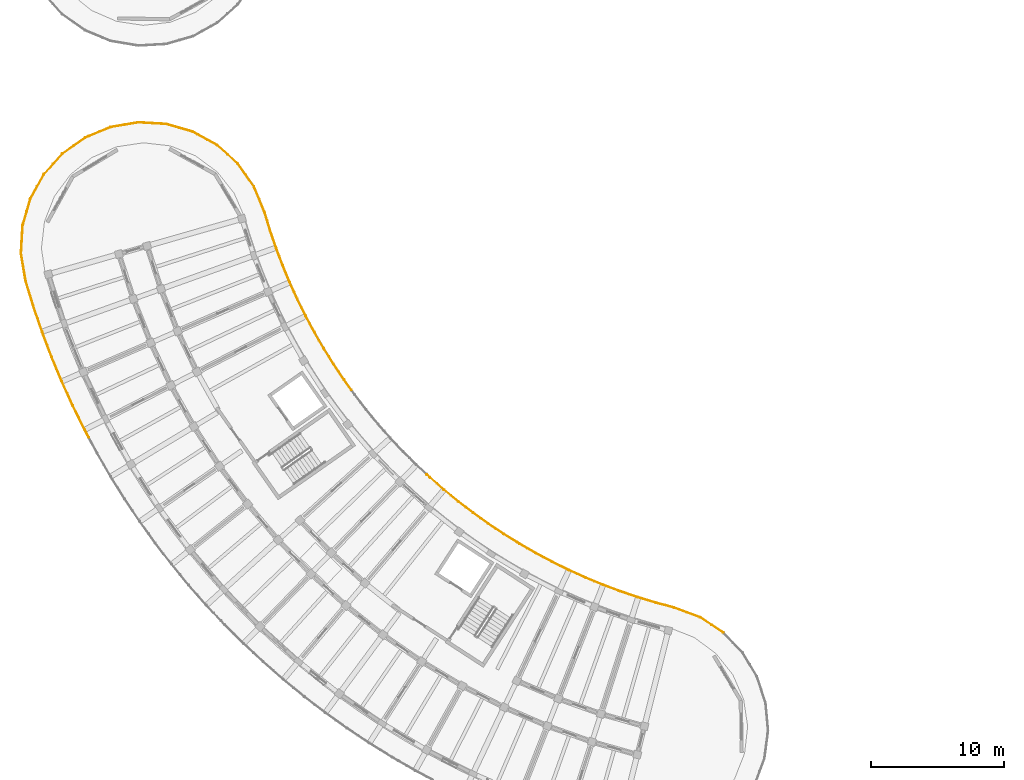
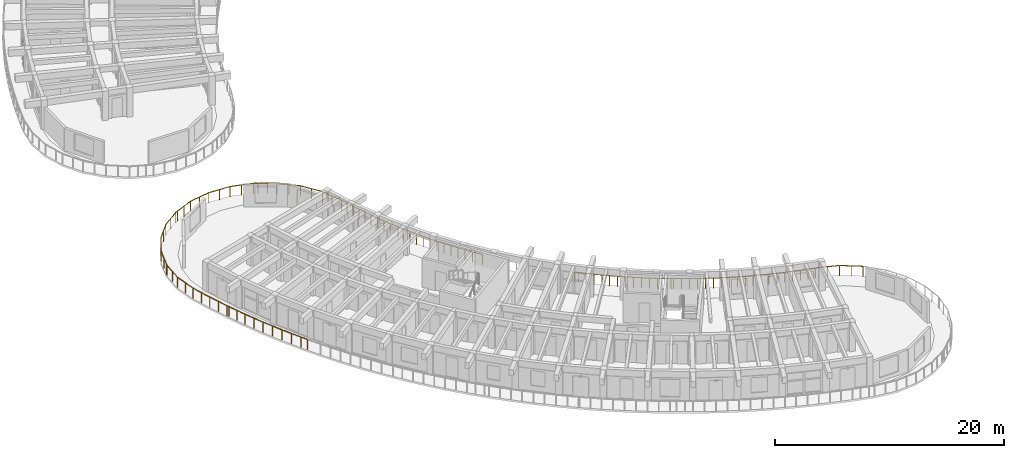
# One storey, part 68 of 81: 10 railings.
"""IFC4 building model written with IfcOpenShell, lengths in metres."""

from ifc_helpers import new_model, si_unit, direction, frame, origin, origin_2d, place, context, subcontext, project, spatial, circle, extrude, material, type_object, element, save


model = new_model("IFC4")

# Units and contexts
model_context = context("Model", 3, precision=1e-05, world=origin(), true_north=direction((0.0, 1.0)))
body_context = subcontext(model_context, "Body", "Model", "MODEL_VIEW")
ifc_project = project(units=[si_unit("LENGTHUNIT", "METRE"), si_unit("AREAUNIT", "SQUARE_METRE"), si_unit("VOLUMEUNIT", "CUBIC_METRE"), si_unit("PLANEANGLEUNIT", "RADIAN"), si_unit("MASSUNIT", "GRAM", prefix="KILO")], contexts=[model_context])

# Site, building, storey
site_placement = place(None, origin())
site = spatial("IfcSite", under=ifc_project, at=site_placement, CompositionType="ELEMENT")
building_placement = place(site_placement, origin())
building = spatial("IfcBuilding", under=site, at=building_placement, Name="Tanwirah Colonnade Gardens", CompositionType="ELEMENT")
storey_placement = place(building_placement, frame((0.0, 0.0, 18.919921875)))
storey = spatial("IfcBuildingStorey", under=building, at=storey_placement, Name="L05", CompositionType="ELEMENT", Elevation=18.919921875)

# Railings
ifc_material = material(Name="Precast concrete C40/50", Category="concrete")
railing_type = type_object("IfcRailingType", Name="BAL-EXT110", PredefinedType="BALUSTRADE", material=ifc_material)
railing_1_placement = place(storey_placement, frame((23.1767578125, 54.664794921875, 0.0)))
element("IfcRailing", 1, at=railing_1_placement, inside=storey, type_object=railing_type, Name="Block C L05 Balcony Ribbon Balustrade 1", PredefinedType="BALUSTRADE", context=body_context, shape_type="SweptSolid", body=[
    extrude(circle(Radius=0.02392578125, at=origin_2d()), frame((0.011962890625, -0.02880859375, 1.076171875), z_axis=(0.381489237895, -0.92437328032, 0.0), x_axis=(0.92437328032, 0.381489237895, 0.0)), (0.0, 0.0, 1.0), 2.029541015625),
    extrude(circle(Radius=0.02392578125, at=origin_2d()), frame((0.80712890625, -1.963623046875, 1.076171875), z_axis=(0.291308344694, -0.956629211509, 0.0), x_axis=(0.956629211509, 0.291308344694, 0.0)), (0.0, 0.0, 1.0), 1.327880859375),
    extrude(circle(Radius=0.02392578125, at=origin_2d()), frame((1.2138671875, -3.2958984375, 1.076171875), z_axis=(0.322420738552, -0.946596464895, 0.0), x_axis=(0.946596464895, 0.322420738552, 0.0)), (0.0, 0.0, 1.0), 1.33154296875),
    extrude(circle(Radius=0.02392578125, at=origin_2d()), frame((1.665283203125, -4.61767578125, 1.076171875), z_axis=(0.353291566317, -0.935513265095, 0.0), x_axis=(0.935513265095, 0.353291566317, 0.0)), (0.0, 0.0, 1.0), 1.331298828125),
    extrude(circle(Radius=0.02392578125, at=origin_2d()), frame((2.15966796875, -5.923583984375, 1.076171875), z_axis=(0.383707429873, -0.923454713703, 0.0), x_axis=(0.923454713703, 0.383707429873, 0.0)), (0.0, 0.0, 1.0), 1.33154296875),
    extrude(circle(Radius=0.02392578125, at=origin_2d()), frame((2.696533203125, -7.213134765625, 1.076171875), z_axis=(0.413892102149, -0.9103259459, 0.0), x_axis=(0.9103259459, 0.413892102149, 0.0)), (0.0, 0.0, 1.0), 0.7626953125),
    extrude(circle(Radius=0.02099609375, at=origin_2d()), origin(), (0.0, 0.0, 1.0), 1.049072265625),
    extrude(circle(Radius=0.02099609375, at=origin_2d()), frame((0.39892578125, -0.966796875, 0.0)), (0.0, 0.0, 1.0), 1.049072265625),
    extrude(circle(Radius=0.02099609375, at=origin_2d()), frame((0.798095703125, -1.933837890625, 0.0)), (0.0, 0.0, 1.0), 1.049072265625),
    extrude(circle(Radius=0.02099609375, at=origin_2d()), frame((1.00048828125, -2.598876953125, 0.0)), (0.0, 0.0, 1.0), 1.049072265625),
    extrude(circle(Radius=0.02099609375, at=origin_2d()), frame((1.203125, -3.263916015625, 0.0)), (0.0, 0.0, 1.0), 1.049072265625),
    extrude(circle(Radius=0.02099609375, at=origin_2d()), frame((1.4287109375, -3.92626953125, 0.0)), (0.0, 0.0, 1.0), 1.049072265625),
    extrude(circle(Radius=0.02099609375, at=origin_2d()), frame((1.6533203125, -4.5859375, 0.0)), (0.0, 0.0, 1.0), 1.049072265625),
    extrude(circle(Radius=0.02099609375, at=origin_2d()), frame((1.900390625, -5.240234375, 0.0)), (0.0, 0.0, 1.0), 1.049072265625),
    extrude(circle(Radius=0.02099609375, at=origin_2d()), frame((2.146728515625, -5.892333984375, 0.0)), (0.0, 0.0, 1.0), 1.049072265625),
    extrude(circle(Radius=0.02099609375, at=origin_2d()), frame((2.4150390625, -6.53857421875, 0.0)), (0.0, 0.0, 1.0), 1.049072265625),
    extrude(circle(Radius=0.02099609375, at=origin_2d()), frame((2.6826171875, -7.18212890625, 0.0)), (0.0, 0.0, 1.0), 1.049072265625),
    extrude(circle(Radius=0.02099609375, at=origin_2d()), frame((3.025146484375, -7.935791015625, 0.0)), (0.0, 0.0, 1.0), 1.049072265625),
])
railing_2_placement = place(storey_placement, frame((26.201904296875, 46.72900390625, 0.0)))
element("IfcRailing", 2, at=railing_2_placement, inside=storey, type_object=railing_type, Name="Block C L05 Balcony Ribbon Balustrade 2", PredefinedType="BALUSTRADE", context=body_context, shape_type="SweptSolid", body=[
    extrude(circle(Radius=0.02392578125, at=origin_2d()), frame((0.012939453125, -0.028564453125, 1.076171875), z_axis=(0.413414773503, -0.910542818899, 0.0), x_axis=(0.910542818899, 0.413414773503, 0.0)), (0.0, 0.0, 1.0), 0.506103515625),
    extrude(circle(Radius=0.02392578125, at=origin_2d()), frame((0.250244140625, -0.54833984375, 1.076171875), z_axis=(0.443286097627, -0.896380184771, 0.0), x_axis=(0.896380184771, 0.443286097627, 0.0)), (0.0, 0.0, 1.0), 1.33154296875),
    extrude(circle(Radius=0.02392578125, at=origin_2d()), frame((0.8701171875, -1.7998046875, 1.076171875), z_axis=(0.472323466806, -0.881425290484, 0.0), x_axis=(0.881425290484, 0.472323466806, 0.0)), (0.0, 0.0, 1.0), 1.33154296875),
    extrude(circle(Radius=0.02392578125, at=origin_2d()), frame((1.53076171875, -3.0302734375, 1.076171875), z_axis=(0.501015561301, -0.865438274711, 0.0), x_axis=(0.865438274711, 0.501015561301, 0.0)), (0.0, 0.0, 1.0), 1.33154296875),
    extrude(circle(Radius=0.02392578125, at=origin_2d()), frame((2.2314453125, -4.238525390625, 1.076171875), z_axis=(0.529022666758, -0.848607693847, 0.0), x_axis=(0.848607693847, 0.529022666758, 0.0)), (0.0, 0.0, 1.0), 1.33154296875),
    extrude(circle(Radius=0.02392578125, at=origin_2d()), frame((2.970947265625, -5.423095703125, 1.076171875), z_axis=(0.55655786635, -0.830808847692, 0.0), x_axis=(0.830808847692, 0.55655786635, 0.0)), (0.0, 0.0, 1.0), 1.33154296875),
    extrude(circle(Radius=0.02392578125, at=origin_2d()), frame((3.749267578125, -6.5830078125, 1.076171875), z_axis=(0.583385919087, -0.812195093196, 0.0), x_axis=(0.812195093196, 0.583385919087, 0.0)), (0.0, 0.0, 1.0), 0.8828125),
    extrude(circle(Radius=0.02099609375, at=origin_2d()), origin(), (0.0, 0.0, 1.0), 1.049072265625),
    extrude(circle(Radius=0.02099609375, at=origin_2d()), frame((0.235107421875, -0.517822265625, 0.0)), (0.0, 0.0, 1.0), 1.049072265625),
    extrude(circle(Radius=0.02099609375, at=origin_2d()), frame((0.54541015625, -1.14501953125, 0.0)), (0.0, 0.0, 1.0), 1.049072265625),
    extrude(circle(Radius=0.02099609375, at=origin_2d()), frame((0.854248046875, -1.769775390625, 0.0)), (0.0, 0.0, 1.0), 1.049072265625),
    extrude(circle(Radius=0.02099609375, at=origin_2d()), frame((1.1845703125, -2.38671875, 0.0)), (0.0, 0.0, 1.0), 1.049072265625),
    extrude(circle(Radius=0.02099609375, at=origin_2d()), frame((1.513916015625, -3.0009765625, 0.0)), (0.0, 0.0, 1.0), 1.049072265625),
    extrude(circle(Radius=0.02099609375, at=origin_2d()), frame((1.8642578125, -3.6064453125, 0.0)), (0.0, 0.0, 1.0), 1.049072265625),
    extrude(circle(Radius=0.02099609375, at=origin_2d()), frame((2.213623046875, -4.209716796875, 0.0)), (0.0, 0.0, 1.0), 1.049072265625),
    extrude(circle(Radius=0.02099609375, at=origin_2d()), frame((2.58349609375, -4.803466796875, 0.0)), (0.0, 0.0, 1.0), 1.049072265625),
    extrude(circle(Radius=0.02099609375, at=origin_2d()), frame((2.952392578125, -5.39501953125, 0.0)), (0.0, 0.0, 1.0), 1.049072265625),
    extrude(circle(Radius=0.02099609375, at=origin_2d()), frame((3.341552734375, -5.976318359375, 0.0)), (0.0, 0.0, 1.0), 1.049072265625),
    extrude(circle(Radius=0.02099609375, at=origin_2d()), frame((3.7294921875, -6.555419921875, 0.0)), (0.0, 0.0, 1.0), 1.049072265625),
    extrude(circle(Radius=0.02099609375, at=origin_2d()), frame((4.282470703125, -7.325439453125, 0.0)), (0.0, 0.0, 1.0), 1.049072265625),
])
railing_3_placement = place(storey_placement, frame((36.13134765625, 33.070068359375, 0.0)))
element("IfcRailing", 3, at=railing_3_placement, inside=storey, type_object=railing_type, Name="Block C L05 Balcony Ribbon Balustrade 4", PredefinedType="BALUSTRADE", context=body_context, shape_type="SweptSolid", body=[
    extrude(circle(Radius=0.02392578125, at=origin_2d()), frame((0.02294921875, -0.021240234375, 1.076171875), z_axis=(0.730857442629, -0.682530144795, 0.0), x_axis=(0.682530144795, 0.730857442629, 0.0)), (0.0, 0.0, 1.0), 0.265869140625),
    extrude(circle(Radius=0.02392578125, at=origin_2d()), frame((0.265380859375, -0.24658203125, 1.076171875), z_axis=(0.752565845379, -0.658517006894, 0.0), x_axis=(0.658517006894, 0.752565845379, 0.0)), (0.0, 0.0, 1.0), 1.33154296875),
    extrude(circle(Radius=0.02392578125, at=origin_2d()), frame((1.317138671875, -1.16552734375, 1.076171875), z_axis=(0.773762182392, -0.633476191424, 0.0), x_axis=(0.633476191424, 0.773762182392, 0.0)), (0.0, 0.0, 1.0), 1.33154296875),
    extrude(circle(Radius=0.02392578125, at=origin_2d()), frame((2.398681640625, -2.049560546875, 1.076171875), z_axis=(0.793969886309, -0.607957087001, 0.0), x_axis=(0.607957087001, 0.793969886309, 0.0)), (0.0, 0.0, 1.0), 1.331298828125),
    extrude(circle(Radius=0.02392578125, at=origin_2d()), frame((3.508056640625, -2.8974609375, 1.076171875), z_axis=(0.813473063063, -0.581602592558, 0.0), x_axis=(0.581602592558, 0.813473063063, 0.0)), (0.0, 0.0, 1.0), 1.33154296875),
    extrude(circle(Radius=0.02392578125, at=origin_2d()), frame((4.64501953125, -3.708984375, 1.076171875), z_axis=(0.832077237554, -0.554659779274, 0.0), x_axis=(0.554659779274, 0.832077237554, 0.0)), (0.0, 0.0, 1.0), 1.33154296875),
    extrude(circle(Radius=0.02392578125, at=origin_2d()), frame((5.8076171875, -4.482666015625, 1.076171875), z_axis=(0.849786479113, -0.527127062401, 0.0), x_axis=(0.527127062401, 0.849786479113, 0.0)), (0.0, 0.0, 1.0), 1.123046875),
    extrude(circle(Radius=0.02099609375, at=origin_2d()), origin(), (0.0, 0.0, 1.0), 1.049072265625),
    extrude(circle(Radius=0.02099609375, at=origin_2d()), frame((0.239990234375, -0.22412109375, 0.0)), (0.0, 0.0, 1.0), 1.049072265625),
    extrude(circle(Radius=0.02099609375, at=origin_2d()), frame((0.7666015625, -0.68505859375, 0.0)), (0.0, 0.0, 1.0), 1.049072265625),
    extrude(circle(Radius=0.02099609375, at=origin_2d()), frame((1.291015625, -1.14404296875, 0.0)), (0.0, 0.0, 1.0), 1.049072265625),
    extrude(circle(Radius=0.02099609375, at=origin_2d()), frame((1.832275390625, -1.58740234375, 0.0)), (0.0, 0.0, 1.0), 1.049072265625),
    extrude(circle(Radius=0.02099609375, at=origin_2d()), frame((2.37158203125, -2.02880859375, 0.0)), (0.0, 0.0, 1.0), 1.049072265625),
    extrude(circle(Radius=0.02099609375, at=origin_2d()), frame((2.92724609375, -2.4541015625, 0.0)), (0.0, 0.0, 1.0), 1.049072265625),
    extrude(circle(Radius=0.02099609375, at=origin_2d()), frame((3.48046875, -2.8779296875, 0.0)), (0.0, 0.0, 1.0), 1.049072265625),
    extrude(circle(Radius=0.02099609375, at=origin_2d()), frame((4.0498046875, -3.28466796875, 0.0)), (0.0, 0.0, 1.0), 1.049072265625),
    extrude(circle(Radius=0.02099609375, at=origin_2d()), frame((4.61669921875, -3.690185546875, 0.0)), (0.0, 0.0, 1.0), 1.049072265625),
    extrude(circle(Radius=0.02099609375, at=origin_2d()), frame((5.19873046875, -4.078125, 0.0)), (0.0, 0.0, 1.0), 1.049072265625),
    extrude(circle(Radius=0.02099609375, at=origin_2d()), frame((5.77880859375, -4.46484375, 0.0)), (0.0, 0.0, 1.0), 1.049072265625),
    extrude(circle(Radius=0.02099609375, at=origin_2d()), frame((6.78857421875, -5.09130859375, 0.0)), (0.0, 0.0, 1.0), 1.049072265625),
])
railing_4_placement = place(storey_placement, frame((42.919921875, 27.978759765625, 0.0)))
element("IfcRailing", 4, at=railing_4_placement, inside=storey, type_object=railing_type, Name="Block C L05 Balcony Ribbon Balustrade 5", PredefinedType="BALUSTRADE", context=body_context, shape_type="SweptSolid", body=[
    extrude(circle(Radius=0.02392578125, at=origin_2d()), frame((0.026611328125, -0.0166015625, 1.076171875), z_axis=(0.849640166198, -0.527362861778, 0.0), x_axis=(0.527362861778, 0.849640166198, 0.0)), (0.0, 0.0, 1.0), 0.145751953125),
    extrude(circle(Radius=0.02392578125, at=origin_2d()), frame((0.206298828125, -0.126708984375, 1.076171875), z_axis=(0.866535241782, -0.499115893104, 0.0), x_axis=(0.499115893104, 0.866535241782, 0.0)), (0.0, 0.0, 1.0), 1.33154296875),
    extrude(circle(Radius=0.02392578125, at=origin_2d()), frame((1.417236328125, -0.82275390625, 1.076171875), z_axis=(0.88242081136, -0.470460956593, 0.0), x_axis=(0.470460956593, 0.88242081136, 0.0)), (0.0, 0.0, 1.0), 1.331298828125),
    extrude(circle(Radius=0.02392578125, at=origin_2d()), frame((2.650146484375, -1.47900390625, 1.076171875), z_axis=(0.897349966121, -0.441319655469, 0.0), x_axis=(0.441319655469, 0.897349966121, 0.0)), (0.0, 0.0, 1.0), 1.33154296875),
    extrude(circle(Radius=0.02392578125, at=origin_2d()), frame((3.90380859375, -2.094482421875, 1.076171875), z_axis=(0.911383314029, -0.411558568018, 0.0), x_axis=(0.411558568018, 0.911383314029, 0.0)), (0.0, 0.0, 1.0), 1.33154296875),
    extrude(circle(Radius=0.02392578125, at=origin_2d()), frame((5.177001953125, -2.66845703125, 1.076171875), z_axis=(0.924300384608, -0.381665821122, 0.0), x_axis=(0.381665821122, 0.924300384608, 0.0)), (0.0, 0.0, 1.0), 1.331298828125),
    extrude(circle(Radius=0.02392578125, at=origin_2d()), frame((6.46826171875, -3.200439453125, 1.076171875), z_axis=(0.936267698759, -0.351287341447, 0.0), x_axis=(0.351287341447, 0.936267698759, 0.0)), (0.0, 0.0, 1.0), 1.243408203125),
    extrude(circle(Radius=0.02099609375, at=origin_2d()), origin(), (0.0, 0.0, 1.0), 1.049072265625),
    extrude(circle(Radius=0.02099609375, at=origin_2d()), frame((0.177001953125, -0.10986328125, 0.0)), (0.0, 0.0, 1.0), 1.049072265625),
    extrude(circle(Radius=0.02099609375, at=origin_2d()), frame((0.783203125, -0.458984375, 0.0)), (0.0, 0.0, 1.0), 1.049072265625),
    extrude(circle(Radius=0.02099609375, at=origin_2d()), frame((1.38720703125, -0.806884765625, 0.0)), (0.0, 0.0, 1.0), 1.049072265625),
    extrude(circle(Radius=0.02099609375, at=origin_2d()), frame((2.004638671875, -1.135986328125, 0.0)), (0.0, 0.0, 1.0), 1.049072265625),
    extrude(circle(Radius=0.02099609375, at=origin_2d()), frame((2.61962890625, -1.4638671875, 0.0)), (0.0, 0.0, 1.0), 1.049072265625),
    extrude(circle(Radius=0.02099609375, at=origin_2d()), frame((3.24755859375, -1.772705078125, 0.0)), (0.0, 0.0, 1.0), 1.049072265625),
    extrude(circle(Radius=0.02099609375, at=origin_2d()), frame((3.873046875, -2.080322265625, 0.0)), (0.0, 0.0, 1.0), 1.049072265625),
    extrude(circle(Radius=0.02099609375, at=origin_2d()), frame((4.510498046875, -2.368408203125, 0.0)), (0.0, 0.0, 1.0), 1.049072265625),
    extrude(circle(Radius=0.02099609375, at=origin_2d()), frame((5.145751953125, -2.6552734375, 0.0)), (0.0, 0.0, 1.0), 1.049072265625),
    extrude(circle(Radius=0.02099609375, at=origin_2d()), frame((5.79248046875, -2.92236328125, 0.0)), (0.0, 0.0, 1.0), 1.049072265625),
    extrude(circle(Radius=0.02099609375, at=origin_2d()), frame((6.4365234375, -3.1884765625, 0.0)), (0.0, 0.0, 1.0), 1.049072265625),
    extrude(circle(Radius=0.02099609375, at=origin_2d()), frame((7.66162109375, -3.648193359375, 0.0)), (0.0, 0.0, 1.0), 1.049072265625),
])
railing_5_placement = place(storey_placement, frame((50.58154296875, 24.33056640625, 0.0)))
element("IfcRailing", 5, at=railing_5_placement, inside=storey, type_object=railing_type, Name="Block C L05 Balcony Ribbon Balustrade 6", PredefinedType="BALUSTRADE", context=body_context, shape_type="SweptSolid", body=[
    extrude(circle(Radius=0.02392578125, at=origin_2d()), frame((0.029296875, -0.010986328125, 1.076171875), z_axis=(0.937010964775, -0.349299945449, 0.0), x_axis=(0.349299945449, 0.937010964775, 0.0)), (0.0, 0.0, 1.0), 0.025634765625),
    extrude(circle(Radius=0.02392578125, at=origin_2d()), frame((0.114501953125, -0.041748046875, 1.076171875), z_axis=(0.947255234668, -0.320480140404, 0.0), x_axis=(0.320480140404, 0.947255234668, 0.0)), (0.0, 0.0, 1.0), 1.33154296875),
    extrude(circle(Radius=0.02392578125, at=origin_2d()), frame((1.438232421875, -0.48828125, 1.076171875), z_axis=(0.957270084886, -0.289195408993, 0.0), x_axis=(0.289195408993, 0.957270084886, 0.0)), (0.0, 0.0, 1.0), 1.331298828125),
    extrude(circle(Radius=0.02392578125, at=origin_2d()), frame((2.775390625, -0.89111328125, 1.076171875), z_axis=(0.96619995466, -0.257793808332, 0.0), x_axis=(0.257793808332, 0.96619995466, 0.0)), (0.0, 0.0, 1.0), 1.32763671875),
    extrude(circle(Radius=0.02392578125, at=origin_2d()), frame((4.11767578125, -1.25244140625, 1.076171875), z_axis=(0.937103821965, -0.349050751121, 0.0), x_axis=(0.349050751121, 0.937103821965, 0.0)), (0.0, 0.0, 1.0), 2.029541015625),
    extrude(circle(Radius=0.02392578125, at=origin_2d()), frame((6.074951171875, -1.98876953125, 1.076171875), z_axis=(0.835935529347, -0.548827651248, 0.0), x_axis=(0.548827651248, 0.835935529347, 0.0)), (0.0, 0.0, 1.0), 2.024169921875),
    extrude(circle(Radius=0.02099609375, at=origin_2d()), origin(), (0.0, 0.0, 1.0), 1.049072265625),
    extrude(circle(Radius=0.02099609375, at=origin_2d()), frame((0.08251953125, -0.03076171875, 0.0)), (0.0, 0.0, 1.0), 1.049072265625),
    extrude(circle(Radius=0.02099609375, at=origin_2d()), frame((0.7451171875, -0.255126953125, 0.0)), (0.0, 0.0, 1.0), 1.049072265625),
    extrude(circle(Radius=0.02099609375, at=origin_2d()), frame((1.405517578125, -0.478515625, 0.0)), (0.0, 0.0, 1.0), 1.049072265625),
    extrude(circle(Radius=0.02099609375, at=origin_2d()), frame((2.0751953125, -0.6806640625, 0.0)), (0.0, 0.0, 1.0), 1.049072265625),
    extrude(circle(Radius=0.02099609375, at=origin_2d()), frame((2.742431640625, -0.88232421875, 0.0)), (0.0, 0.0, 1.0), 1.049072265625),
    extrude(circle(Radius=0.02099609375, at=origin_2d()), frame((3.416748046875, -1.062255859375, 0.0)), (0.0, 0.0, 1.0), 1.049072265625),
    extrude(circle(Radius=0.02099609375, at=origin_2d()), frame((4.08837890625, -1.241455078125, 0.0)), (0.0, 0.0, 1.0), 1.049072265625),
    extrude(circle(Radius=0.02099609375, at=origin_2d()), frame((5.068603515625, -1.6064453125, 0.0)), (0.0, 0.0, 1.0), 1.049072265625),
    extrude(circle(Radius=0.02099609375, at=origin_2d()), frame((6.048828125, -1.9716796875, 0.0)), (0.0, 0.0, 1.0), 1.049072265625),
    extrude(circle(Radius=0.02099609375, at=origin_2d()), frame((6.9208984375, -2.54443359375, 0.0)), (0.0, 0.0, 1.0), 1.049072265625),
    extrude(circle(Radius=0.02099609375, at=origin_2d()), frame((7.793212890625, -3.116943359375, 0.0)), (0.0, 0.0, 1.0), 1.049072265625),
])
railing_6_placement = place(storey_placement, frame((10.80078125, 35.834716796875, 0.0)))
element("IfcRailing", 6, at=railing_6_placement, inside=storey, type_object=railing_type, Name="Block C L05 Balcony Ribbon Balustrade 16", PredefinedType="BALUSTRADE", context=body_context, shape_type="SweptSolid", body=[
    extrude(circle(Radius=0.02392578125, at=origin_2d()), frame((-0.0146484375, 0.027587890625, 1.076171875), z_axis=(-0.472201112316, 0.881490844835, 0.0), x_axis=(-0.881490844835, -0.472201112316, 0.0)), (0.0, 0.0, 1.0), 0.60498046875),
    extrude(circle(Radius=0.02392578125, at=origin_2d()), frame((-0.3291015625, 0.616455078125, 1.076171875), z_axis=(-0.443316350815, 0.896365223054, 0.0), x_axis=(-0.896365223054, -0.443316350815, 0.0)), (0.0, 0.0, 1.0), 1.9443359375),
    extrude(circle(Radius=0.02392578125, at=origin_2d()), frame((-1.2177734375, 2.415771484375, 1.076171875), z_axis=(-0.413665439989, 0.910428966893, 0.0), x_axis=(-0.910428966893, -0.413665439989, 0.0)), (0.0, 0.0, 1.0), 1.944091796875),
    extrude(circle(Radius=0.02392578125, at=origin_2d()), frame((-2.046875, 4.242919921875, 1.076171875), z_axis=(-0.383777149523, 0.923425741196, 0.0), x_axis=(-0.923425741196, -0.383777149523, 0.0)), (0.0, 0.0, 1.0), 1.94384765625),
    extrude(circle(Radius=0.02392578125, at=origin_2d()), frame((-2.81591796875, 6.09619140625, 1.076171875), z_axis=(-0.353159580161, 0.935563098321, 0.0), x_axis=(-0.935563098321, -0.353159580161, 0.0)), (0.0, 0.0, 1.0), 1.75),
    extrude(circle(Radius=0.02099609375, at=origin_2d()), origin(), (0.0, 0.0, 1.0), 1.049072265625),
    extrude(circle(Radius=0.02099609375, at=origin_2d()), frame((-0.315185546875, 0.58837890625, 0.0)), (0.0, 0.0, 1.0), 1.049072265625),
    extrude(circle(Radius=0.02099609375, at=origin_2d()), frame((-0.760009765625, 1.48779296875, 0.0)), (0.0, 0.0, 1.0), 1.049072265625),
    extrude(circle(Radius=0.02099609375, at=origin_2d()), frame((-1.204833984375, 2.38720703125, 0.0)), (0.0, 0.0, 1.0), 1.049072265625),
    extrude(circle(Radius=0.02099609375, at=origin_2d()), frame((-1.619873046875, 3.30078125, 0.0)), (0.0, 0.0, 1.0), 1.049072265625),
    extrude(circle(Radius=0.02099609375, at=origin_2d()), frame((-2.034912109375, 4.214111328125, 0.0)), (0.0, 0.0, 1.0), 1.049072265625),
    extrude(circle(Radius=0.02099609375, at=origin_2d()), frame((-2.419921875, 5.140625, 0.0)), (0.0, 0.0, 1.0), 1.049072265625),
    extrude(circle(Radius=0.02099609375, at=origin_2d()), frame((-2.804931640625, 6.06689453125, 0.0)), (0.0, 0.0, 1.0), 1.049072265625),
    extrude(circle(Radius=0.02099609375, at=origin_2d()), frame((-3.125, 6.914794921875, 0.0)), (0.0, 0.0, 1.0), 1.049072265625),
    extrude(circle(Radius=0.02099609375, at=origin_2d()), frame((-3.445068359375, 7.7626953125, 0.0)), (0.0, 0.0, 1.0), 1.049072265625),
])
railing_7_placement = place(storey_placement, frame((7.355712890625, 43.597412109375, 0.0)))
element("IfcRailing", 7, at=railing_7_placement, inside=storey, type_object=railing_type, Name="Block C L05 Balcony Ribbon Balustrade 17", PredefinedType="BALUSTRADE", context=body_context, shape_type="SweptSolid", body=[
    extrude(circle(Radius=0.02392578125, at=origin_2d()), frame((-0.010986328125, 0.029296875, 1.076171875), z_axis=(-0.353327210697, 0.935499803411, 0.0), x_axis=(-0.935499803411, -0.353327210697, 0.0)), (0.0, 0.0, 1.0), 0.131591796875),
    extrude(circle(Radius=0.02392578125, at=origin_2d()), frame((-0.07861328125, 0.211181640625, 1.076171875), z_axis=(-0.322426184604, 0.946594609895, 0.0), x_axis=(-0.946594609895, -0.322426184604, 0.0)), (0.0, 0.0, 1.0), 1.944091796875),
    extrude(circle(Radius=0.02392578125, at=origin_2d()), frame((-0.724609375, 2.11083984375, 1.076171875), z_axis=(-0.291360501176, 0.956613327502, 0.0), x_axis=(-0.956613327502, -0.291360501176, 0.0)), (0.0, 0.0, 1.0), 1.940185546875),
    extrude(circle(Radius=0.02392578125, at=origin_2d()), frame((-1.30419921875, 4.027587890625, 1.076171875), z_axis=(-0.166273240714, 0.98607971758, 0.0), x_axis=(-0.98607971758, -0.166273240714, 0.0)), (0.0, 0.0, 1.0), 2.0283203125),
    extrude(circle(Radius=0.02392578125, at=origin_2d()), frame((-1.64501953125, 6.08984375, 1.076171875), z_axis=(0.057322977065, 0.998355686266, 0.0), x_axis=(-0.998355686266, 0.057322977065, 0.0)), (0.0, 0.0, 1.0), 2.0244140625),
    extrude(circle(Radius=0.02392578125, at=origin_2d()), frame((-1.518310546875, 8.172119140625, 1.076171875), z_axis=(0.277708416947, 0.960665412699, 0.0), x_axis=(-0.960665412699, 0.277708416947, 0.0)), (0.0, 0.0, 1.0), 0.05615234375),
    extrude(circle(Radius=0.02099609375, at=origin_2d()), origin(), (0.0, 0.0, 1.0), 1.049072265625),
    extrude(circle(Radius=0.02099609375, at=origin_2d()), frame((-0.068603515625, 0.181640625, 0.0)), (0.0, 0.0, 1.0), 1.049072265625),
    extrude(circle(Radius=0.02099609375, at=origin_2d()), frame((-0.39208984375, 1.13134765625, 0.0)), (0.0, 0.0, 1.0), 1.049072265625),
    extrude(circle(Radius=0.02099609375, at=origin_2d()), frame((-0.715576171875, 2.0810546875, 0.0)), (0.0, 0.0, 1.0), 1.049072265625),
    extrude(circle(Radius=0.02099609375, at=origin_2d()), frame((-1.00732421875, 3.0390625, 0.0)), (0.0, 0.0, 1.0), 1.049072265625),
    extrude(circle(Radius=0.02099609375, at=origin_2d()), frame((-1.299072265625, 3.996826171875, 0.0)), (0.0, 0.0, 1.0), 1.049072265625),
    extrude(circle(Radius=0.02099609375, at=origin_2d()), frame((-1.472900390625, 5.02783203125, 0.0)), (0.0, 0.0, 1.0), 1.049072265625),
    extrude(circle(Radius=0.02099609375, at=origin_2d()), frame((-1.646728515625, 6.05859375, 0.0)), (0.0, 0.0, 1.0), 1.049072265625),
    extrude(circle(Radius=0.02099609375, at=origin_2d()), frame((-1.5869140625, 7.100341796875, 0.0)), (0.0, 0.0, 1.0), 1.049072265625),
    extrude(circle(Radius=0.02099609375, at=origin_2d()), frame((-1.527099609375, 8.14208984375, 0.0)), (0.0, 0.0, 1.0), 1.049072265625),
    extrude(circle(Radius=0.02099609375, at=origin_2d()), frame((-1.494140625, 8.256103515625, 0.0)), (0.0, 0.0, 1.0), 1.049072265625),
])
railing_8_placement = place(storey_placement, frame((5.861572265625, 51.853515625, 0.0)))
element("IfcRailing", 8, at=railing_8_placement, inside=storey, type_object=railing_type, Name="Block C L05 Balcony Ribbon Balustrade 18", PredefinedType="BALUSTRADE", context=body_context, shape_type="SweptSolid", body=[
    extrude(circle(Radius=0.02392578125, at=origin_2d()), frame((0.0087890625, 0.030029296875, 1.076171875), z_axis=(0.278012892346, 0.960577342898, 0.0), x_axis=(-0.960577342898, 0.278012892346, 0.0)), (0.0, 0.0, 1.0), 1.905517578125),
    extrude(circle(Radius=0.02392578125, at=origin_2d()), frame((0.562255859375, 1.917724609375, 1.076171875), z_axis=(0.484758723036, 0.874647917988, 0.0), x_axis=(-0.874647917988, 0.484758723036, 0.0)), (0.0, 0.0, 1.0), 2.0244140625),
    extrude(circle(Radius=0.02392578125, at=origin_2d()), frame((1.57958984375, 3.739013671875, 1.076171875), z_axis=(0.667321336148, 0.744769920393, 0.0), x_axis=(-0.744769920393, 0.667321336148, 0.0)), (0.0, 0.0, 1.0), 2.0244140625),
    extrude(circle(Radius=0.02392578125, at=origin_2d()), frame((2.97705078125, 5.2880859375, 1.076171875), z_axis=(0.816286486525, 0.577647272924, 0.0), x_axis=(-0.577647272924, 0.816286486525, 0.0)), (0.0, 0.0, 1.0), 2.0244140625),
    extrude(circle(Radius=0.02392578125, at=origin_2d()), frame((4.683837890625, 6.487548828125, 1.076171875), z_axis=(0.924323547442, 0.381609721631, 0.0), x_axis=(-0.381609721631, 0.924323547442, 0.0)), (0.0, 0.0, 1.0), 0.208740234375),
    extrude(circle(Radius=0.02099609375, at=origin_2d()), origin(), (0.0, 0.0, 1.0), 1.049072265625),
    extrude(circle(Radius=0.02099609375, at=origin_2d()), frame((0.2734375, 0.9453125, 0.0)), (0.0, 0.0, 1.0), 1.049072265625),
    extrude(circle(Radius=0.02099609375, at=origin_2d()), frame((0.547119140625, 1.890380859375, 0.0)), (0.0, 0.0, 1.0), 1.049072265625),
    extrude(circle(Radius=0.02099609375, at=origin_2d()), frame((1.052978515625, 2.80322265625, 0.0)), (0.0, 0.0, 1.0), 1.049072265625),
    extrude(circle(Radius=0.02099609375, at=origin_2d()), frame((1.558837890625, 3.7158203125, 0.0)), (0.0, 0.0, 1.0), 1.049072265625),
    extrude(circle(Radius=0.02099609375, at=origin_2d()), frame((2.255126953125, 4.492919921875, 0.0)), (0.0, 0.0, 1.0), 1.049072265625),
    extrude(circle(Radius=0.02099609375, at=origin_2d()), frame((2.951416015625, 5.27001953125, 0.0)), (0.0, 0.0, 1.0), 1.049072265625),
    extrude(circle(Radius=0.02099609375, at=origin_2d()), frame((3.80322265625, 5.872802734375, 0.0)), (0.0, 0.0, 1.0), 1.049072265625),
    extrude(circle(Radius=0.02099609375, at=origin_2d()), frame((4.655029296875, 6.4755859375, 0.0)), (0.0, 0.0, 1.0), 1.049072265625),
    extrude(circle(Radius=0.02099609375, at=origin_2d()), frame((4.90576171875, 6.5791015625, 0.0)), (0.0, 0.0, 1.0), 1.049072265625),
])
railing_9_placement = place(storey_placement, frame((10.767333984375, 58.4326171875, 0.0)))
element("IfcRailing", 9, at=railing_9_placement, inside=storey, type_object=railing_type, Name="Block C L05 Balcony Ribbon Balustrade 19", PredefinedType="BALUSTRADE", context=body_context, shape_type="SweptSolid", body=[
    extrude(circle(Radius=0.02392578125, at=origin_2d()), frame((0.02880859375, 0.011962890625, 1.076171875), z_axis=(0.92436866453, 0.381500422064, 0.0), x_axis=(-0.381500422064, 0.92436866453, 0.0)), (0.0, 0.0, 1.0), 1.7529296875),
    extrude(circle(Radius=0.02392578125, at=origin_2d()), frame((1.708984375, 0.69775390625, 1.076171875), z_axis=(0.986066327641, 0.166352629957, 0.0), x_axis=(-0.166352629957, 0.986066327641, 0.0)), (0.0, 0.0, 1.0), 2.0244140625),
    extrude(circle(Radius=0.02392578125, at=origin_2d()), frame((3.767333984375, 1.0380859375, 1.076171875), z_axis=(0.998355686266, -0.057322977065, 0.0), x_axis=(0.057322977065, 0.998355686266, 0.0)), (0.0, 0.0, 1.0), 2.0244140625),
    extrude(circle(Radius=0.02392578125, at=origin_2d()), frame((5.849609375, 0.911376953125, 1.076171875), z_axis=(0.960560153031, -0.278072279108, 0.0), x_axis=(0.278072279108, 0.960560153031, 0.0)), (0.0, 0.0, 1.0), 2.0244140625),
    extrude(circle(Radius=0.02392578125, at=origin_2d()), frame((7.8515625, 0.32470703125, 1.076171875), z_axis=(0.874592040268, -0.484859529245, 0.0), x_axis=(0.484859529245, 0.874592040268, 0.0)), (0.0, 0.0, 1.0), 0.36083984375),
    extrude(circle(Radius=0.02099609375, at=origin_2d()), origin(), (0.0, 0.0, 1.0), 1.049072265625),
    extrude(circle(Radius=0.02099609375, at=origin_2d()), frame((0.839111328125, 0.34619140625, 0.0)), (0.0, 0.0, 1.0), 1.049072265625),
    extrude(circle(Radius=0.02099609375, at=origin_2d()), frame((1.67822265625, 0.692626953125, 0.0)), (0.0, 0.0, 1.0), 1.049072265625),
    extrude(circle(Radius=0.02099609375, at=origin_2d()), frame((2.70703125, 0.8662109375, 0.0)), (0.0, 0.0, 1.0), 1.049072265625),
    extrude(circle(Radius=0.02099609375, at=origin_2d()), frame((3.736083984375, 1.039794921875, 0.0)), (0.0, 0.0, 1.0), 1.049072265625),
    extrude(circle(Radius=0.02099609375, at=origin_2d()), frame((4.77783203125, 0.97998046875, 0.0)), (0.0, 0.0, 1.0), 1.049072265625),
    extrude(circle(Radius=0.02099609375, at=origin_2d()), frame((5.819580078125, 0.920166015625, 0.0)), (0.0, 0.0, 1.0), 1.049072265625),
    extrude(circle(Radius=0.02099609375, at=origin_2d()), frame((6.82177734375, 0.6298828125, 0.0)), (0.0, 0.0, 1.0), 1.049072265625),
    extrude(circle(Radius=0.02099609375, at=origin_2d()), frame((7.82421875, 0.33984375, 0.0)), (0.0, 0.0, 1.0), 1.049072265625),
    extrude(circle(Radius=0.02099609375, at=origin_2d()), frame((8.194580078125, 0.134521484375, 0.0)), (0.0, 0.0, 1.0), 1.049072265625),
])
railing_10_placement = place(storey_placement, frame((18.9619140625, 58.567138671875, 0.0)))
element("IfcRailing", 10, at=railing_10_placement, inside=storey, type_object=railing_type, Name="Block C L05 Balcony Ribbon Balustrade 20", PredefinedType="BALUSTRADE", context=body_context, shape_type="SweptSolid", body=[
    extrude(circle(Radius=0.02392578125, at=origin_2d()), frame((0.02734375, -0.01513671875, 1.076171875), z_axis=(0.874627650651, -0.484795289495, 0.0), x_axis=(0.484795289495, 0.874627650651, 0.0)), (0.0, 0.0, 1.0), 1.600830078125),
    extrude(circle(Radius=0.02392578125, at=origin_2d()), frame((1.47802734375, -0.8271484375, 1.076171875), z_axis=(0.744822012119, -0.667263194146, 0.0), x_axis=(0.667263194146, 0.744822012119, 0.0)), (0.0, 0.0, 1.0), 2.0244140625),
    extrude(circle(Radius=0.02392578125, at=origin_2d()), frame((3.02734375, -2.224609375, 1.076171875), z_axis=(0.577702435947, -0.81624744747, 0.0), x_axis=(0.81624744747, 0.577702435947, 0.0)), (0.0, 0.0, 1.0), 2.0244140625),
    extrude(circle(Radius=0.02099609375, at=origin_2d()), origin(), (0.0, 0.0, 1.0), 1.049072265625),
    extrude(circle(Radius=0.02099609375, at=origin_2d()), frame((0.7275390625, -0.4033203125, 0.0)), (0.0, 0.0, 1.0), 1.049072265625),
    extrude(circle(Radius=0.02099609375, at=origin_2d()), frame((1.454833984375, -0.806396484375, 0.0)), (0.0, 0.0, 1.0), 1.049072265625),
    extrude(circle(Radius=0.02099609375, at=origin_2d()), frame((2.23193359375, -1.502685546875, 0.0)), (0.0, 0.0, 1.0), 1.049072265625),
    extrude(circle(Radius=0.02099609375, at=origin_2d()), frame((3.00927734375, -2.198974609375, 0.0)), (0.0, 0.0, 1.0), 1.049072265625),
    extrude(circle(Radius=0.02099609375, at=origin_2d()), frame((3.612060546875, -3.05078125, 0.0)), (0.0, 0.0, 1.0), 1.049072265625),
    extrude(circle(Radius=0.02099609375, at=origin_2d()), frame((4.21484375, -3.90234375, 0.0)), (0.0, 0.0, 1.0), 1.049072265625),
])

save(model, "model.ifc")
